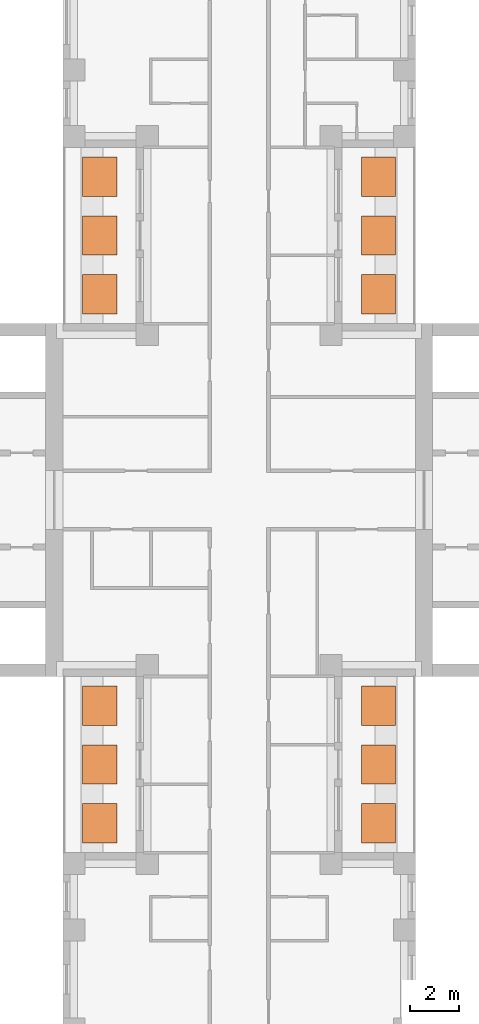
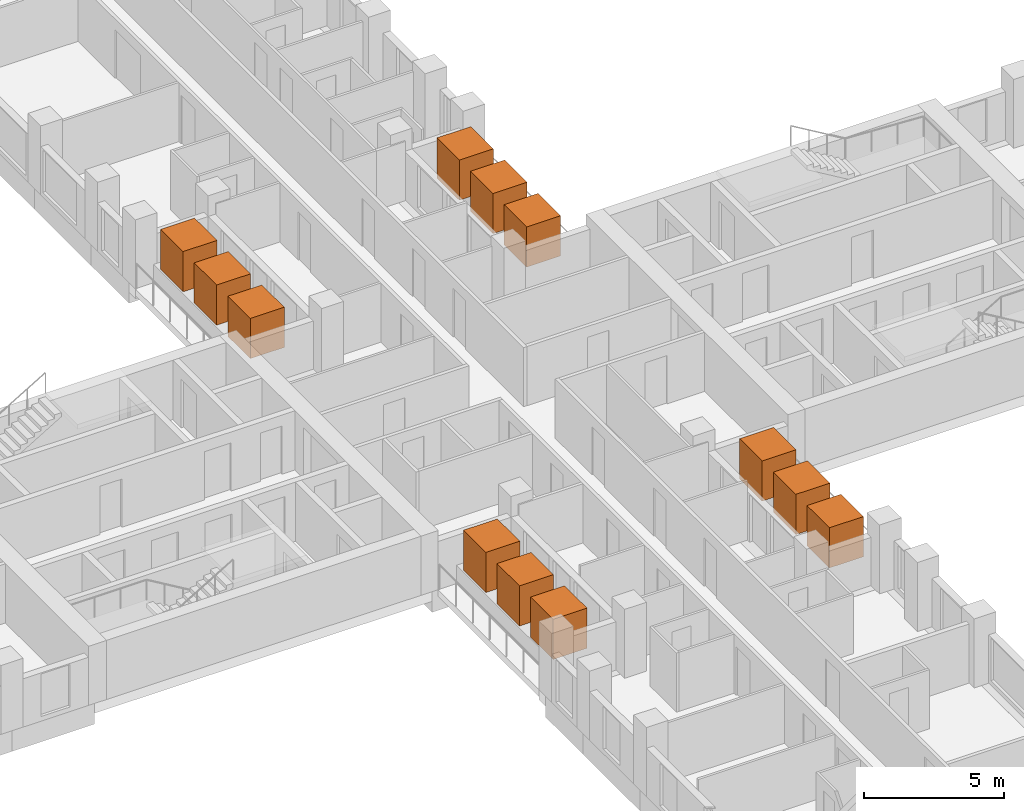
# One storey, part 15 of 15: 12 geographic elements.
"""IFC4 building model written with IfcOpenShell, lengths in metres."""

import ifcopenshell
import ifcopenshell.guid

model = None  # the IFC model being written
_history = None  # IfcOwnerHistory: only IFC2X3 demands one
_inside = {}  # id of a spatial element -> (the spatial element, [elements in it])
_under = {}  # id of a project, library or spatial element -> (it, [spatial elements below it])
_declared = {}  # id of a project -> (the project, [libraries it declares])
_typed = {}  # id of a type object -> (the type object, [elements of that type])
_made_of = {}  # id of a material, layer set ... -> (it, [elements and type objects made of it])


def new_model(schema):
    """Start an empty IFC model of exactly this schema.

    Asked for "IFC4X3", IfcOpenShell would pick the latest addendum, in which some entities
    have other attributes; the version numbers below select the first issue.
    IFC2X3 requires an IfcOwnerHistory on every rooted entity: one is made here for all.
    """
    global model, _history
    if schema == "IFC4X3":
        model = ifcopenshell.file(schema_version=(4, 3, 0, 0))
    else:
        model = ifcopenshell.file(schema=schema)
    _inside.clear()
    _under.clear()
    _declared.clear()
    _typed.clear()
    _made_of.clear()
    _history = None
    if model.schema == "IFC2X3":
        org = make("IfcOrganization", Name="unknown")
        user = make(
            "IfcPersonAndOrganization",
            ThePerson=make("IfcPerson", FamilyName="unknown"),
            TheOrganization=org,
        )
        app = make(
            "IfcApplication",
            ApplicationDeveloper=org,
            Version="unknown",
            ApplicationFullName="unknown",
            ApplicationIdentifier="unknown",
        )
        _history = make(
            "IfcOwnerHistory",
            OwningUser=user,
            OwningApplication=app,
            ChangeAction="ADDED",
            CreationDate=0,
        )
    return model


def make(cls, **values):
    """One entity of the class cls with the attributes given. An attribute that is None is left unset."""
    return model.create_entity(
        cls, **{name: value for name, value in values.items() if value is not None}
    )


def rooted(cls, **values):
    """An entity with a GlobalId (a new one), such as an element, a storey or a relation."""
    return make(cls, GlobalId=ifcopenshell.guid.new(), OwnerHistory=_history, **values)


def si_unit(unit_type, name, prefix=None):
    """IfcSIUnit, for example si_unit("LENGTHUNIT", "METRE", prefix="MILLI")."""
    return make("IfcSIUnit", UnitType=unit_type, Prefix=prefix, Name=name)


def assignment(units):
    """IfcUnitAssignment: the units of a project."""
    return None if units is None else make("IfcUnitAssignment", Units=units)


def point(xyz):
    """IfcCartesianPoint."""
    return None if xyz is None else make("IfcCartesianPoint", Coordinates=xyz)


def direction(xyz):
    """IfcDirection."""
    return None if xyz is None else make("IfcDirection", DirectionRatios=xyz)


def frame(location, z_axis=None, x_axis=None):
    """IfcAxis2Placement3D, a coordinate frame: its origin and axes. An axis left out is left unset."""
    return make(
        "IfcAxis2Placement3D",
        Location=point(location),
        Axis=direction(z_axis),
        RefDirection=direction(x_axis),
    )


def frame_2d(location, x_axis=None):
    """IfcAxis2Placement2D, a coordinate frame in the plane: its origin and x axis."""
    return make(
        "IfcAxis2Placement2D", Location=point(location), RefDirection=direction(x_axis)
    )


def origin():
    """The frame at (0, 0, 0) with its axes left unset."""
    return frame((0.0, 0.0, 0.0))


def origin_2d():
    """The frame at (0, 0) in the plane with its x axis left unset."""
    return frame_2d((0.0, 0.0))


def place(relative_to, where):
    """IfcLocalPlacement: puts the frame where relative to a parent placement (None: the world)."""
    return make(
        "IfcLocalPlacement", PlacementRelTo=relative_to, RelativePlacement=where
    )


def context(
    kind, dimensions, precision=None, world=None, true_north=None, identifier=None
):
    """IfcGeometricRepresentationContext, for example the 3D "Model" context."""
    return make(
        "IfcGeometricRepresentationContext",
        ContextIdentifier=identifier,
        ContextType=kind,
        CoordinateSpaceDimension=dimensions,
        Precision=precision,
        WorldCoordinateSystem=world,
        TrueNorth=true_north,
    )


def subcontext(parent, identifier, kind, view, scale=None):
    """IfcGeometricRepresentationSubContext, for example "Body" below "Model"."""
    return make(
        "IfcGeometricRepresentationSubContext",
        ContextIdentifier=identifier,
        ContextType=kind,
        ParentContext=parent,
        TargetScale=scale,
        TargetView=view,
    )


def project(units=None, contexts=None):
    """IfcProject with its units and contexts."""
    return rooted(
        "IfcProject",
        Name="project",
        RepresentationContexts=contexts,
        UnitsInContext=assignment(units),
    )


def spatial(cls, under=None, at=None, **own):
    """A site, building, storey or space (cls), placed at a placement, below another one or the project."""
    s = rooted(cls, ObjectPlacement=at, **own)
    if under is not None:
        _under.setdefault(under.id(), (under, []))[1].append(s)
    return s


def profile(cls, at=None, kind="AREA", **sizes):
    """A parametric profile (cls). Its sizes go by their IFC names, for example OverallWidth=200.0."""
    return make(cls, ProfileType=kind, Position=at, **sizes)


def rectangle(**sizes):
    """IfcRectangleProfileDef."""
    return profile("IfcRectangleProfileDef", **sizes)


def extrude(swept, where, along, depth):
    """IfcExtrudedAreaSolid: the profile swept, set in the frame where, extruded along a direction by depth."""
    return make(
        "IfcExtrudedAreaSolid",
        SweptArea=swept,
        Position=where,
        ExtrudedDirection=direction(along),
        Depth=depth,
    )


def shape(context_of_items, identifier, shape_type, items):
    """IfcShapeRepresentation: the items that make up one representation, for example the "Body"."""
    return make(
        "IfcShapeRepresentation",
        ContextOfItems=context_of_items,
        RepresentationIdentifier=identifier,
        RepresentationType=shape_type,
        Items=items,
    )


def material(Name=None, Category=None):
    """IfcMaterial."""
    return make("IfcMaterial", Name=Name, Category=Category)


def made_of(thing, what):
    """Note that an element or type object is made of a material, layer set ...; save() writes the relation."""
    if what is not None:
        _made_of.setdefault(what.id(), (what, []))[1].append(thing)
    return thing


def element(
    cls,
    number,
    at=None,
    inside=None,
    cuts=None,
    type_object=None,
    material=None,
    context=None,
    identifier="Body",
    shape_type=None,
    held_by="IfcProductDefinitionShape",
    body=None,
    shapes=None,
    **own,
):
    """One element of the class cls, such as IfcWall. Its Tag is "e" and its number.

    at: its placement. inside: the storey or other place that contains it. cuts: it is an
    opening in that element (IfcRelVoidsElement). A single representation is given by context,
    identifier, shape_type and body (its items); several are given by shapes. held_by: the class
    of the entity that holds the representations. save() writes the other relations.
    """
    e = rooted(cls, Tag="e%d" % number, ObjectPlacement=at, **own)
    if body is not None:
        shapes = [shape(context, identifier, shape_type, body)]
    if shapes is not None:
        e.Representation = make(held_by, Representations=shapes)
    if inside is not None:
        _inside.setdefault(inside.id(), (inside, []))[1].append(e)
    if cuts is not None:
        rooted(
            "IfcRelVoidsElement", RelatingBuildingElement=cuts, RelatedOpeningElement=e
        )
    if type_object is not None:
        _typed.setdefault(type_object.id(), (type_object, []))[1].append(e)
    return made_of(e, material)


def aggregate(whole, parts):
    """IfcRelAggregates: a whole, such as a stair, and the parts it consists of."""
    return rooted("IfcRelAggregates", RelatingObject=whole, RelatedObjects=parts)


def save(model, path):
    """Write the relations noted so far, then the file.

    IfcRelAggregates (storeys below a building ...), IfcRelContainedInSpatialStructure (elements
    in a storey), IfcRelDefinesByType, IfcRelAssociatesMaterial and IfcRelDeclares: one each for
    every whole, place, type object, material and project.
    """
    for whole, parts in _under.values():
        aggregate(whole, parts)
    for where, things in _inside.values():
        rooted(
            "IfcRelContainedInSpatialStructure",
            RelatedElements=things,
            RelatingStructure=where,
        )
    for kind, things in _typed.values():
        rooted("IfcRelDefinesByType", RelatedObjects=things, RelatingType=kind)
    for what, things in _made_of.values():
        rooted("IfcRelAssociatesMaterial", RelatedObjects=things, RelatingMaterial=what)
    for by, libraries in _declared.values():
        rooted("IfcRelDeclares", RelatingContext=by, RelatedDefinitions=libraries)
    model.write(path)


model = new_model("IFC4")

# Units and contexts
model_context = context("Model", 3, precision=1e-05, world=origin(), true_north=direction((0.0, 1.0)))
body_context = subcontext(model_context, "Body", "Model", "MODEL_VIEW")
ifc_project = project(units=[si_unit("LENGTHUNIT", "METRE"), si_unit("AREAUNIT", "SQUARE_METRE"), si_unit("VOLUMEUNIT", "CUBIC_METRE"), si_unit("PLANEANGLEUNIT", "RADIAN"), si_unit("MASSUNIT", "GRAM", prefix="KILO")], contexts=[model_context])

# Site, building, storey
site_placement = place(None, origin())
site = spatial("IfcSite", under=ifc_project, at=site_placement, CompositionType="ELEMENT")
building_placement = place(site_placement, origin())
building = spatial("IfcBuilding", under=site, at=building_placement, Name="Fustian Cross Tower", CompositionType="ELEMENT")
storey_placement = place(building_placement, frame((0.0, 0.0, 41.699951171875)))
storey = spatial("IfcBuildingStorey", under=building, at=storey_placement, Name="L12", CompositionType="ELEMENT", Elevation=41.699951171875)

# Geographic elements
ifc_material = material(Name="Evergreen foliage")
for number, where, z_axis, x_axis, name in (
    (1, (5.68994140625, 8.39990234375, 0.800048828125), (0.0, 0.0, 1.0), (1.0, 0.0, 0.0), "TREE field maple"),
    (2, (5.68994140625, 10.800048828125, 0.800048828125), (0.0, 0.0, 1.0), (1.0, 0.0, 0.0), "TREE field maple"),
    (3, (5.68994140625, 13.199951171875, 0.800048828125), (0.0, 0.0, 1.0), (1.0, 0.0, 0.0), "TREE field maple"),
    (4, (-5.68994140625, 8.39990234375, 0.800048828125), (0.0, 0.0, 1.0), (1.0, 0.0, 0.0), "TREE field maple"),
    (5, (-5.68994140625, 10.800048828125, 0.800048828125), (0.0, 0.0, 1.0), (1.0, 0.0, 0.0), "TREE field maple"),
    (6, (-5.68994140625, 13.199951171875, 0.800048828125), (0.0, 0.0, 1.0), (1.0, 0.0, 0.0), "TREE field maple"),
    (7, (5.68994140625, -13.199951171875, 0.800048828125), (0.0, 0.0, 1.0), (1.0, 0.0, 0.0), "TREE field maple"),
    (8, (5.68994140625, -10.800048828125, 0.800048828125), (0.0, 0.0, 1.0), (1.0, 0.0, 0.0), "TREE field maple"),
    (9, (5.68994140625, -8.39990234375, 0.800048828125), (0.0, 0.0, 1.0), (1.0, 0.0, 0.0), "TREE field maple"),
    (10, (-5.68994140625, -13.199951171875, 0.800048828125), (0.0, 0.0, 1.0), (1.0, 0.0, 0.0), "TREE field maple"),
    (11, (-5.68994140625, -10.800048828125, 0.800048828125), (0.0, 0.0, 1.0), (1.0, 0.0, 0.0), "TREE field maple"),
    (12, (-5.68994140625, -8.39990234375, 0.800048828125), (0.0, 0.0, 1.0), (1.0, 0.0, 0.0), "TREE field maple"),
):
    element("IfcGeographicElement", number, at=place(storey_placement, frame(where, z_axis=z_axis, x_axis=x_axis)), inside=storey, material=ifc_material, Name=name, ObjectType="VEGETATION", PredefinedType="USERDEFINED", context=body_context, shape_type="SweptSolid", body=[
        extrude(rectangle(XDim=1.39990234375, YDim=1.60009765625, at=origin_2d()), origin(), (0.0, 0.0, 1.0), 1.75),
    ])

save(model, "model.ifc")
